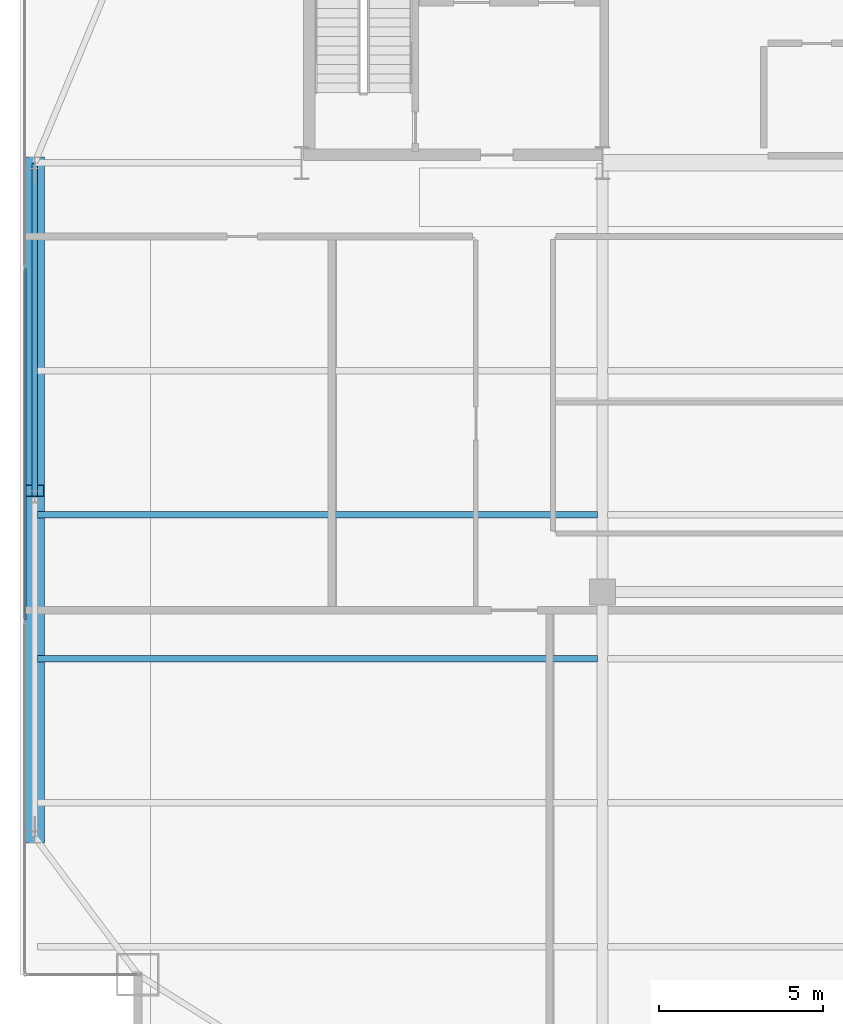
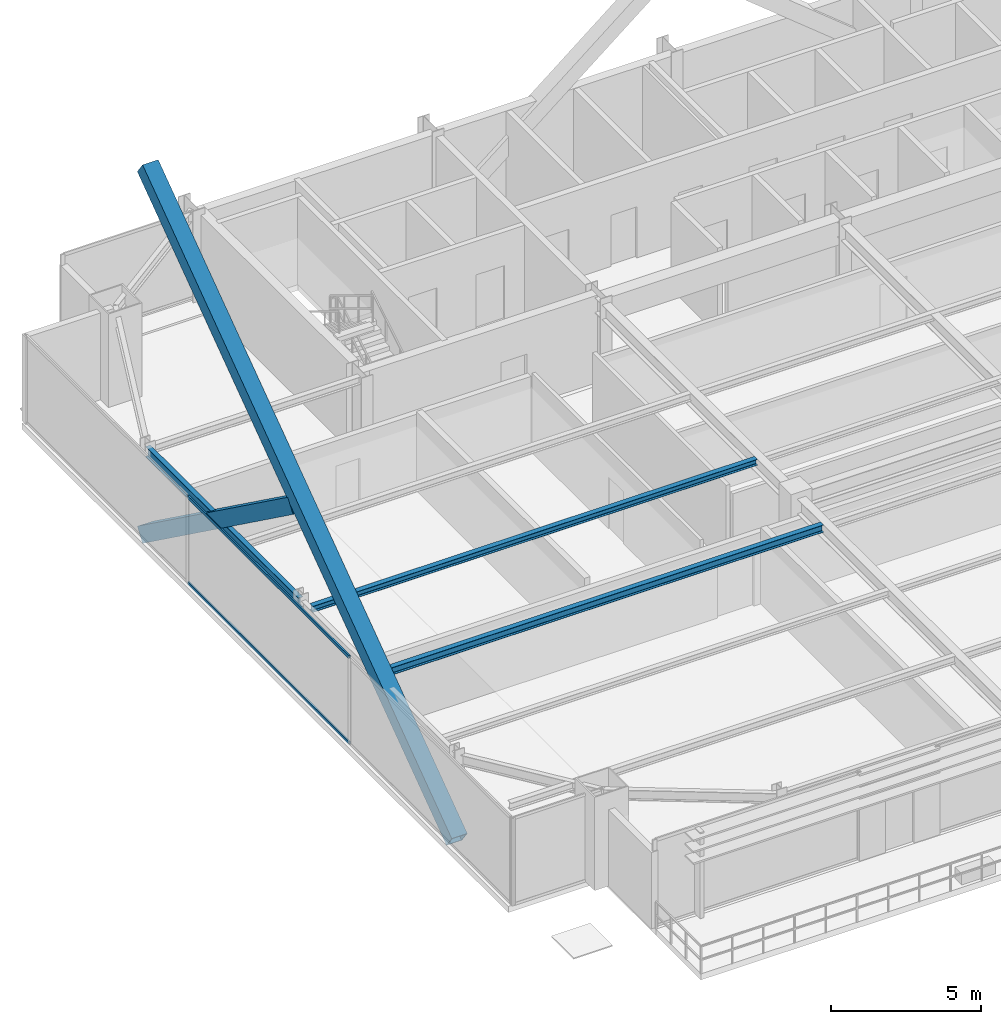
# One storey, part 10 of 33: 4 members, 3 beams, 1 element without a shape of its own.
"""IFC4 building model written with IfcOpenShell, lengths in metres."""

import ifcopenshell
import ifcopenshell.guid

model = None  # the IFC model being written
_history = None  # IfcOwnerHistory: only IFC2X3 demands one
_inside = {}  # id of a spatial element -> (the spatial element, [elements in it])
_under = {}  # id of a project, library or spatial element -> (it, [spatial elements below it])
_declared = {}  # id of a project -> (the project, [libraries it declares])
_typed = {}  # id of a type object -> (the type object, [elements of that type])
_made_of = {}  # id of a material, layer set ... -> (it, [elements and type objects made of it])


def new_model(schema):
    """Start an empty IFC model of exactly this schema.

    Asked for "IFC4X3", IfcOpenShell would pick the latest addendum, in which some entities
    have other attributes; the version numbers below select the first issue.
    IFC2X3 requires an IfcOwnerHistory on every rooted entity: one is made here for all.
    """
    global model, _history
    if schema == "IFC4X3":
        model = ifcopenshell.file(schema_version=(4, 3, 0, 0))
    else:
        model = ifcopenshell.file(schema=schema)
    _inside.clear()
    _under.clear()
    _declared.clear()
    _typed.clear()
    _made_of.clear()
    _history = None
    if model.schema == "IFC2X3":
        org = make("IfcOrganization", Name="unknown")
        user = make(
            "IfcPersonAndOrganization",
            ThePerson=make("IfcPerson", FamilyName="unknown"),
            TheOrganization=org,
        )
        app = make(
            "IfcApplication",
            ApplicationDeveloper=org,
            Version="unknown",
            ApplicationFullName="unknown",
            ApplicationIdentifier="unknown",
        )
        _history = make(
            "IfcOwnerHistory",
            OwningUser=user,
            OwningApplication=app,
            ChangeAction="ADDED",
            CreationDate=0,
        )
    return model


def make(cls, **values):
    """One entity of the class cls with the attributes given. An attribute that is None is left unset."""
    return model.create_entity(
        cls, **{name: value for name, value in values.items() if value is not None}
    )


def rooted(cls, **values):
    """An entity with a GlobalId (a new one), such as an element, a storey or a relation."""
    return make(cls, GlobalId=ifcopenshell.guid.new(), OwnerHistory=_history, **values)


def si_unit(unit_type, name, prefix=None):
    """IfcSIUnit, for example si_unit("LENGTHUNIT", "METRE", prefix="MILLI")."""
    return make("IfcSIUnit", UnitType=unit_type, Prefix=prefix, Name=name)


def assignment(units):
    """IfcUnitAssignment: the units of a project."""
    return None if units is None else make("IfcUnitAssignment", Units=units)


def point(xyz):
    """IfcCartesianPoint."""
    return None if xyz is None else make("IfcCartesianPoint", Coordinates=xyz)


def direction(xyz):
    """IfcDirection."""
    return None if xyz is None else make("IfcDirection", DirectionRatios=xyz)


def frame(location, z_axis=None, x_axis=None):
    """IfcAxis2Placement3D, a coordinate frame: its origin and axes. An axis left out is left unset."""
    return make(
        "IfcAxis2Placement3D",
        Location=point(location),
        Axis=direction(z_axis),
        RefDirection=direction(x_axis),
    )


def frame_2d(location, x_axis=None):
    """IfcAxis2Placement2D, a coordinate frame in the plane: its origin and x axis."""
    return make(
        "IfcAxis2Placement2D", Location=point(location), RefDirection=direction(x_axis)
    )


def origin():
    """The frame at (0, 0, 0) with its axes left unset."""
    return frame((0.0, 0.0, 0.0))


def origin_2d():
    """The frame at (0, 0) in the plane with its x axis left unset."""
    return frame_2d((0.0, 0.0))


def place(relative_to, where):
    """IfcLocalPlacement: puts the frame where relative to a parent placement (None: the world)."""
    return make(
        "IfcLocalPlacement", PlacementRelTo=relative_to, RelativePlacement=where
    )


def context(
    kind, dimensions, precision=None, world=None, true_north=None, identifier=None
):
    """IfcGeometricRepresentationContext, for example the 3D "Model" context."""
    return make(
        "IfcGeometricRepresentationContext",
        ContextIdentifier=identifier,
        ContextType=kind,
        CoordinateSpaceDimension=dimensions,
        Precision=precision,
        WorldCoordinateSystem=world,
        TrueNorth=true_north,
    )


def subcontext(parent, identifier, kind, view, scale=None):
    """IfcGeometricRepresentationSubContext, for example "Body" below "Model"."""
    return make(
        "IfcGeometricRepresentationSubContext",
        ContextIdentifier=identifier,
        ContextType=kind,
        ParentContext=parent,
        TargetScale=scale,
        TargetView=view,
    )


def project(units=None, contexts=None):
    """IfcProject with its units and contexts."""
    return rooted(
        "IfcProject",
        Name="project",
        RepresentationContexts=contexts,
        UnitsInContext=assignment(units),
    )


def spatial(cls, under=None, at=None, **own):
    """A site, building, storey or space (cls), placed at a placement, below another one or the project."""
    s = rooted(cls, ObjectPlacement=at, **own)
    if under is not None:
        _under.setdefault(under.id(), (under, []))[1].append(s)
    return s


def profile(cls, at=None, kind="AREA", **sizes):
    """A parametric profile (cls). Its sizes go by their IFC names, for example OverallWidth=200.0."""
    return make(cls, ProfileType=kind, Position=at, **sizes)


def hollow_rectangle(**sizes):
    """IfcRectangleHollowProfileDef."""
    return profile("IfcRectangleHollowProfileDef", **sizes)


def i_section(**sizes):
    """IfcIShapeProfileDef."""
    return profile("IfcIShapeProfileDef", **sizes)


def extrude(swept, where, along, depth):
    """IfcExtrudedAreaSolid: the profile swept, set in the frame where, extruded along a direction by depth."""
    return make(
        "IfcExtrudedAreaSolid",
        SweptArea=swept,
        Position=where,
        ExtrudedDirection=direction(along),
        Depth=depth,
    )


def shape(context_of_items, identifier, shape_type, items):
    """IfcShapeRepresentation: the items that make up one representation, for example the "Body"."""
    return make(
        "IfcShapeRepresentation",
        ContextOfItems=context_of_items,
        RepresentationIdentifier=identifier,
        RepresentationType=shape_type,
        Items=items,
    )


def source(mapping_origin, context_of_items, identifier, shape_type, items):
    """IfcRepresentationMap: a shape defined once, which mapped items show again and again."""
    return make(
        "IfcRepresentationMap",
        MappingOrigin=mapping_origin,
        MappedRepresentation=shape(context_of_items, identifier, shape_type, items),
    )


def transform(
    local_origin,
    x_axis=None,
    y_axis=None,
    z_axis=None,
    scale=None,
    scale2=None,
    scale3=None,
    uniform=True,
):
    """IfcCartesianTransformationOperator3D, or its non-uniform kind. x_axis, y_axis, z_axis: its Axis1, 2, 3."""
    if uniform:
        return make(
            "IfcCartesianTransformationOperator3D",
            Axis1=direction(x_axis),
            Axis2=direction(y_axis),
            LocalOrigin=point(local_origin),
            Scale=scale,
            Axis3=direction(z_axis),
        )
    return make(
        "IfcCartesianTransformationOperator3DnonUniform",
        Axis1=direction(x_axis),
        Axis2=direction(y_axis),
        LocalOrigin=point(local_origin),
        Scale=scale,
        Axis3=direction(z_axis),
        Scale2=scale2,
        Scale3=scale3,
    )


def mapped(mapping_source, mapping_target):
    """IfcMappedItem: shows the shape of a source again, moved by a transform."""
    return make(
        "IfcMappedItem", MappingSource=mapping_source, MappingTarget=mapping_target
    )


def material(Name=None, Category=None):
    """IfcMaterial."""
    return make("IfcMaterial", Name=Name, Category=Category)


def layer(
    of_material, thickness, ventilated=None, Name=None, Category=None, Priority=None
):
    """IfcMaterialLayer: one layer of a wall or slab, of a material (None: an air gap)."""
    return make(
        "IfcMaterialLayer",
        Material=of_material,
        LayerThickness=thickness,
        IsVentilated=ventilated,
        Name=Name,
        Category=Category,
        Priority=Priority,
    )


def layer_set(layers, Name=None):
    """IfcMaterialLayerSet."""
    return make("IfcMaterialLayerSet", MaterialLayers=layers, LayerSetName=Name)


def material_profile(
    of_material, cross_section, Name=None, Category=None, Priority=None
):
    """IfcMaterialProfile: a cross section and its material."""
    return make(
        "IfcMaterialProfile",
        Name=Name,
        Material=of_material,
        Profile=cross_section,
        Priority=Priority,
        Category=Category,
    )


def profile_set(profiles, Name=None, composite=None):
    """IfcMaterialProfileSet."""
    return make(
        "IfcMaterialProfileSet",
        Name=Name,
        MaterialProfiles=profiles,
        CompositeProfile=composite,
    )


def made_of(thing, what):
    """Note that an element or type object is made of a material, layer set ...; save() writes the relation."""
    if what is not None:
        _made_of.setdefault(what.id(), (what, []))[1].append(thing)
    return thing


def type_object(cls, material=None, **own):
    """A type object (cls), such as IfcWallType, which elements share."""
    return made_of(rooted(cls, **own), material)


def type_shapes(of_type, sources):
    """Give a type object the sources (RepresentationMaps) that its elements show as mapped items."""
    of_type.RepresentationMaps = sources


def element(
    cls,
    number,
    at=None,
    inside=None,
    cuts=None,
    type_object=None,
    material=None,
    context=None,
    identifier="Body",
    shape_type=None,
    held_by="IfcProductDefinitionShape",
    body=None,
    shapes=None,
    **own,
):
    """One element of the class cls, such as IfcWall. Its Tag is "e" and its number.

    at: its placement. inside: the storey or other place that contains it. cuts: it is an
    opening in that element (IfcRelVoidsElement). A single representation is given by context,
    identifier, shape_type and body (its items); several are given by shapes. held_by: the class
    of the entity that holds the representations. save() writes the other relations.
    """
    e = rooted(cls, Tag="e%d" % number, ObjectPlacement=at, **own)
    if body is not None:
        shapes = [shape(context, identifier, shape_type, body)]
    if shapes is not None:
        e.Representation = make(held_by, Representations=shapes)
    if inside is not None:
        _inside.setdefault(inside.id(), (inside, []))[1].append(e)
    if cuts is not None:
        rooted(
            "IfcRelVoidsElement", RelatingBuildingElement=cuts, RelatedOpeningElement=e
        )
    if type_object is not None:
        _typed.setdefault(type_object.id(), (type_object, []))[1].append(e)
    return made_of(e, material)


def aggregate(whole, parts):
    """IfcRelAggregates: a whole, such as a stair, and the parts it consists of."""
    return rooted("IfcRelAggregates", RelatingObject=whole, RelatedObjects=parts)


def save(model, path):
    """Write the relations noted so far, then the file.

    IfcRelAggregates (storeys below a building ...), IfcRelContainedInSpatialStructure (elements
    in a storey), IfcRelDefinesByType, IfcRelAssociatesMaterial and IfcRelDeclares: one each for
    every whole, place, type object, material and project.
    """
    for whole, parts in _under.values():
        aggregate(whole, parts)
    for where, things in _inside.values():
        rooted(
            "IfcRelContainedInSpatialStructure",
            RelatedElements=things,
            RelatingStructure=where,
        )
    for kind, things in _typed.values():
        rooted("IfcRelDefinesByType", RelatedObjects=things, RelatingType=kind)
    for what, things in _made_of.values():
        rooted("IfcRelAssociatesMaterial", RelatedObjects=things, RelatingMaterial=what)
    for by, libraries in _declared.values():
        rooted("IfcRelDeclares", RelatingContext=by, RelatedDefinitions=libraries)
    model.write(path)


model = new_model("IFC4")

# Units and contexts
model_context = context("Model", 3, precision=1e-05, world=origin(), true_north=direction((0.0, 1.0)))
body_context = subcontext(model_context, "Body", "Model", "MODEL_VIEW")
ifc_project = project(units=[si_unit("LENGTHUNIT", "METRE"), si_unit("AREAUNIT", "SQUARE_METRE"), si_unit("VOLUMEUNIT", "CUBIC_METRE"), si_unit("PLANEANGLEUNIT", "RADIAN"), si_unit("MASSUNIT", "GRAM", prefix="KILO")], contexts=[model_context])

# Site, building, storey
site_placement = place(None, origin())
site = spatial("IfcSite", under=ifc_project, at=site_placement, CompositionType="ELEMENT")
building_placement = place(site_placement, origin())
building = spatial("IfcBuilding", under=site, at=building_placement, Name="Varnel Quay Broadcast Tower", CompositionType="ELEMENT")
storey_placement = place(building_placement, frame((0.0, 0.0, 145.800048828125)))
storey = spatial("IfcBuildingStorey", under=building, at=storey_placement, Name="L35", CompositionType="ELEMENT", Elevation=145.800048828125)

# Beams
ifc_material_1 = material(Name="Structural Steel CSA G40.21 350W", Category="steel")
ifc_material_profile_1 = material_profile(ifc_material_1, i_section(OverallWidth=0.180908203125, OverallDepth=0.4169921875, WebThickness=0.010986328125, FlangeThickness=0.018310546875, FilletRadius=0.011962890625, at=origin_2d()), Name="W410X85")
ifc_profile_set_1 = profile_set([ifc_material_profile_1], Name="Structural Steel CSA G40.21 350W")
beam_type_1 = type_object("IfcBeamType", Name="Beam_W410X85", PredefinedType="SPANDREL", material=ifc_profile_set_1)
shared_shape_1 = source(origin(), body_context, "Body", "SweptSolid", [
    extrude(i_section(OverallWidth=0.180908203125, OverallDepth=0.4169921875, WebThickness=0.010986328125, FlangeThickness=0.018310546875, FilletRadius=0.011962890625, at=origin_2d()), origin(), (0.0, 0.0, 1.0), 10.16015625),
])
type_shapes(beam_type_1, [shared_shape_1])
beam_1_placement = place(storey_placement, frame((7.449951171875, 25.419921875, 3.341552734375), z_axis=(0.0, 1.0, 0.0), x_axis=(-1.0, 0.0, 0.0)))
element("IfcBeam", 1, at=beam_1_placement, inside=storey, type_object=beam_type_1, Name="L35 West Spandrel TC-W2-TC-W3", PredefinedType="SPANDREL", context=body_context, shape_type="MappedRepresentation", body=[
    mapped(shared_shape_1, transform((0.0, 0.0, 0.0), x_axis=(1.0, 0.0, 0.0), y_axis=(0.0, 1.0, 0.0), z_axis=(0.0, 0.0, 1.0), scale=1.0)),
])
ifc_material_profile_2 = material_profile(ifc_material_1, i_section(OverallWidth=0.202880859375, OverallDepth=0.302978515625, WebThickness=0.007568359375, FlangeThickness=0.01318359375, FilletRadius=0.011962890625, at=origin_2d()), Name="W310X60")
ifc_profile_set_2 = profile_set([ifc_material_profile_2], Name="Structural Steel CSA G40.21 350W")
beam_type_2 = type_object("IfcBeamType", Name="Beam_W310X60", PredefinedType="JOIST", material=ifc_profile_set_2)
shared_shape_2 = source(origin(), body_context, "Body", "SweptSolid", [
    extrude(i_section(OverallWidth=0.202880859375, OverallDepth=0.302978515625, WebThickness=0.007568359375, FlangeThickness=0.01318359375, FilletRadius=0.011962890625, at=origin_2d()), origin(), (0.0, 0.0, 1.0), 17.107177734375),
])
type_shapes(beam_type_2, [shared_shape_2])
beam_2_placement = place(storey_placement, frame((7.535400390625, 20.449951171875, 3.3984375), z_axis=(1.0, 0.0, 0.0), x_axis=(0.0, 1.0, 0.0)))
element("IfcBeam", 2, at=beam_2_placement, inside=storey, type_object=beam_type_2, Name="L35 West Floor Joist 3", PredefinedType="JOIST", context=body_context, shape_type="MappedRepresentation", body=[
    mapped(shared_shape_2, transform((0.0, 0.0, 0.0), x_axis=(1.0, 0.0, 0.0), y_axis=(0.0, 1.0, 0.0), z_axis=(0.0, 0.0, 1.0), scale=1.0)),
])
ifc_material_profile_3 = material_profile(ifc_material_1, i_section(OverallWidth=0.201904296875, OverallDepth=0.2470703125, WebThickness=0.00732421875, FlangeThickness=0.010986328125, FilletRadius=0.010986328125, at=origin_2d()), Name="W250X49")
ifc_profile_set_3 = profile_set([ifc_material_profile_3], Name="Structural Steel CSA G40.21 350W")
beam_type_3 = type_object("IfcBeamType", Name="Beam_W250X49", PredefinedType="JOIST", material=ifc_profile_set_3)
shared_shape_3 = source(origin(), body_context, "Body", "SweptSolid", [
    extrude(i_section(OverallWidth=0.201904296875, OverallDepth=0.2470703125, WebThickness=0.00732421875, FlangeThickness=0.010986328125, FilletRadius=0.010986328125, at=origin_2d()), origin(), (0.0, 0.0, 1.0), 17.107177734375),
])
type_shapes(beam_type_3, [shared_shape_3])
beam_3_placement = place(storey_placement, frame((7.535400390625, 24.85009765625, 3.426513671875), z_axis=(1.0, 0.0, 0.0), x_axis=(0.0, 1.0, 0.0)))
element("IfcBeam", 3, at=beam_3_placement, inside=storey, type_object=beam_type_3, Name="L35 West Floor Joist 4", PredefinedType="JOIST", context=body_context, shape_type="MappedRepresentation", body=[
    mapped(shared_shape_3, transform((0.0, 0.0, 0.0), x_axis=(1.0, 0.0, 0.0), y_axis=(0.0, 1.0, 0.0), z_axis=(0.0, 0.0, 1.0), scale=1.0)),
])

# Members
ifc_material_2 = material(Name="Structural Steel CSA G40.21 350WT", Category="steel")
ifc_material_profile_4 = material_profile(ifc_material_2, hollow_rectangle(XDim=0.60009765625, YDim=0.60009765625, WallThickness=0.028076171875, at=origin_2d()), Name="BOX600X600X28")
ifc_profile_set_4 = profile_set([ifc_material_profile_4], Name="Structural Steel CSA G40.21 350WT")
member_type_1 = type_object("IfcMemberType", Name="Brace_BOX600X600X28", PredefinedType="BRACE", material=ifc_profile_set_4)
shared_shape_4 = source(origin(), body_context, "Body", "SweptSolid", [
    extrude(hollow_rectangle(XDim=0.60009765625, YDim=0.60009765625, WallThickness=0.028076171875, at=origin_2d()), origin(), (0.0, 0.0, 1.0), 25.4296875),
])
member_1_placement = place(storey_placement, frame((7.449951171875, 15.0, 0.02001953125), z_axis=(0.0, 0.810080334362, 0.586318899474), x_axis=(-1.0, 0.0, 0.0)))
element("IfcMember", 4, at=member_1_placement, inside=storey, type_object=member_type_1, Name="Zone 3 Mega-Brace W-FT1 Continuous Diag A", PredefinedType="BRACE", context=body_context, shape_type="MappedRepresentation", body=[
    mapped(shared_shape_4, transform((0.0, 0.0, 0.0), x_axis=(1.0, 0.0, 0.0), y_axis=(0.0, 1.0, 0.0), z_axis=(0.0, 0.0, 1.0), scale=1.0)),
])
shared_shape_5 = source(origin(), body_context, "Body", "SweptSolid", [
    extrude(hollow_rectangle(XDim=0.60009765625, YDim=0.60009765625, WallThickness=0.028076171875, at=origin_2d()), origin(), (0.0, 0.0, 1.0), 12.3740234375),
])
type_shapes(member_type_1, [shared_shape_4, shared_shape_5])
member_2_placement = place(storey_placement, frame((7.449951171875, 35.60009765625, 0.02001953125), z_axis=(0.0, -0.810079456088, 0.586320112928), x_axis=(1.0, 0.0, 0.0)))
element("IfcMember", 5, at=member_2_placement, inside=storey, type_object=member_type_1, Name="Zone 3 Mega-Brace W-FT1 Split Diag B1", PredefinedType="BRACE", context=body_context, shape_type="MappedRepresentation", body=[
    mapped(shared_shape_5, transform((0.0, 0.0, 0.0), x_axis=(1.0, 0.0, 0.0), y_axis=(0.0, 1.0, 0.0), z_axis=(0.0, 0.0, 1.0), scale=1.0)),
])

# Curtain wall, members
ifc_material_3 = material(Name="Anodised Bronze Aluminium 6063-T6", Category="aluminium")
ifc_layer = layer(ifc_material_3, 0.18994140625, Name="Anodised Bronze Aluminium 6063-T6")
ifc_layer_set = layer_set([ifc_layer], Name="Anodised Bronze Aluminium 6063-T6")
curtain_wall_type = type_object("IfcCurtainWallType", Name="CW_UpperTower", PredefinedType="NOTDEFINED", material=ifc_layer_set)
curtain_wall_placement = place(storey_placement, origin())
curtain_wall = element("IfcCurtainWall", 6, at=curtain_wall_placement, inside=storey, type_object=curtain_wall_type, Name="L35 West Unitised Curtain Wall", PredefinedType="NOTDEFINED")
ifc_material_profile_5 = material_profile(ifc_material_3, hollow_rectangle(XDim=0.06005859375, YDim=0.125, WallThickness=0.0029296875, at=origin_2d()), Name="ALU60X125X3")
ifc_profile_set_5 = profile_set([ifc_material_profile_5], Name="Anodised Bronze Aluminium 6063-T6")
member_type_2 = type_object("IfcMemberType", Name="Tran_CWS-03", PredefinedType="USERDEFINED", material=ifc_profile_set_5)
shared_shape_6 = source(origin(), body_context, "Body", "SweptSolid", [
    extrude(hollow_rectangle(XDim=0.06005859375, YDim=0.125, WallThickness=0.0029296875, at=origin_2d()), origin(), (0.0, 0.0, 1.0), 10.73486328125),
])
type_shapes(member_type_2, [shared_shape_6])
member_3_placement = place(storey_placement, frame((7.14990234375, 21.632568359375, 0.030029296875), z_axis=(0.0, 1.0, 0.0), x_axis=(-1.0, 0.0, 0.0)))
member_3 = element("IfcMember", 7, at=member_3_placement, type_object=member_type_2, Name="CWS-03 transom 2.1", ObjectType="TRANSOM", PredefinedType="USERDEFINED", context=body_context, shape_type="MappedRepresentation", body=[
    mapped(shared_shape_6, transform((0.0, 0.0, 0.0), x_axis=(1.0, 0.0, 0.0), y_axis=(0.0, 1.0, 0.0), z_axis=(0.0, 0.0, 1.0), scale=1.0)),
])
member_4_placement = place(storey_placement, frame((7.14990234375, 21.632568359375, 3.52001953125), z_axis=(0.0, 1.0, 0.0), x_axis=(-1.0, 0.0, 0.0)))
member_4 = element("IfcMember", 8, at=member_4_placement, type_object=member_type_2, Name="CWS-03 transom 2.2", ObjectType="TRANSOM", PredefinedType="USERDEFINED", context=body_context, shape_type="MappedRepresentation", body=[
    mapped(shared_shape_6, transform((0.0, 0.0, 0.0), x_axis=(1.0, 0.0, 0.0), y_axis=(0.0, 1.0, 0.0), z_axis=(0.0, 0.0, 1.0), scale=1.0)),
])
aggregate(curtain_wall, [member_3, member_4])

save(model, "model.ifc")
